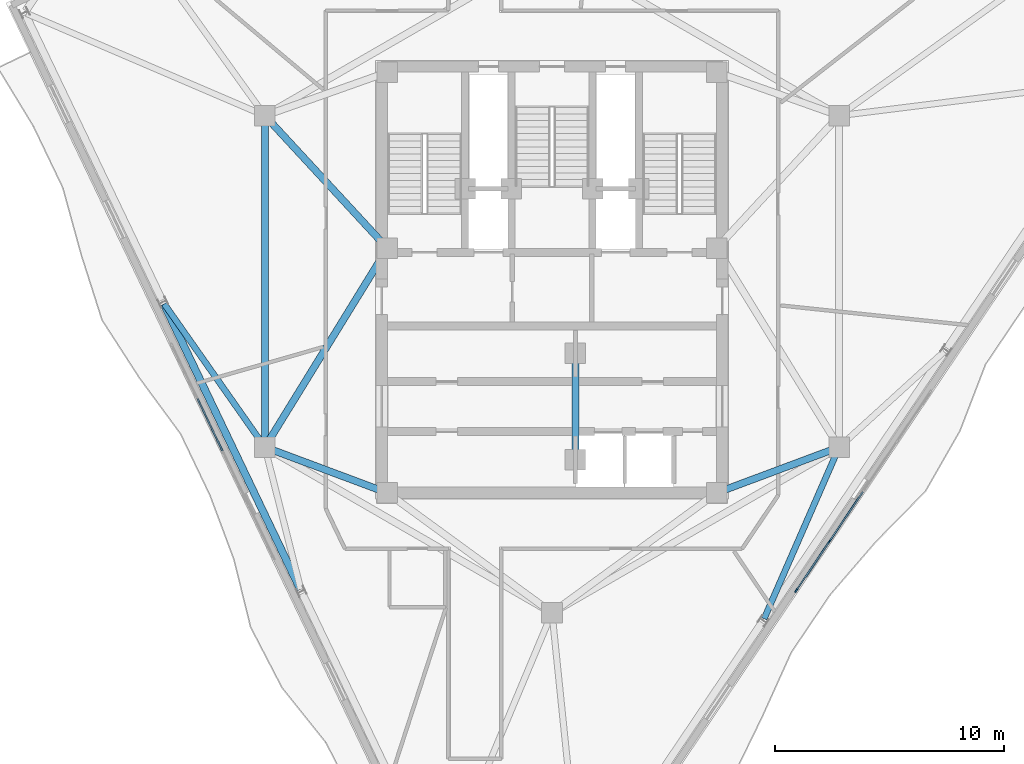
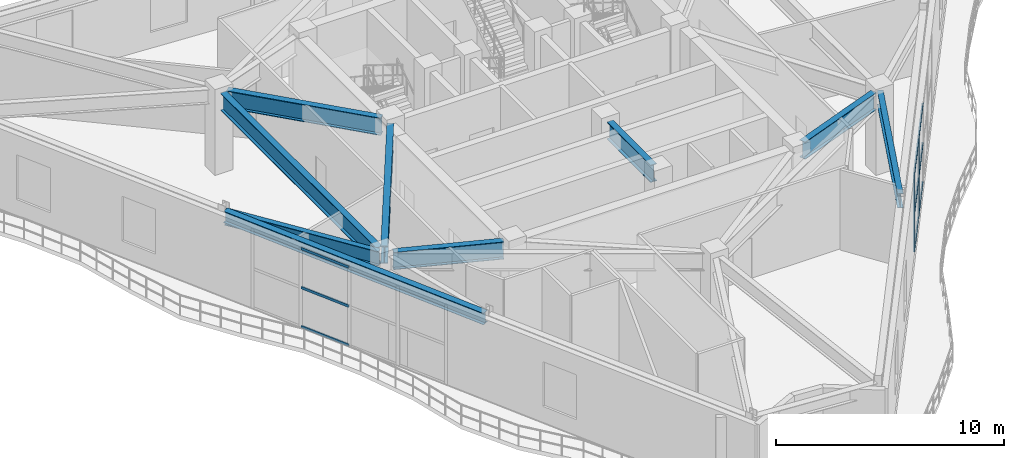
# One storey, part 5 of 15: 11 members, 9 beams, 2 elements without a shape of their own.
"""IFC4 building model written with IfcOpenShell, lengths in metres."""

from ifc_helpers import new_model, si_unit, direction, frame, origin, origin_2d, place, context, subcontext, project, spatial, rectangle, i_section, extrude, material, layer, layer_set, material_profile, profile_set, type_object, element, aggregate, save


model = new_model("IFC4")

# Units and contexts
model_context = context("Model", 3, precision=1e-05, world=origin(), true_north=direction((0.0, 1.0)))
body_context = subcontext(model_context, "Body", "Model", "MODEL_VIEW")
ifc_project = project(units=[si_unit("LENGTHUNIT", "METRE"), si_unit("AREAUNIT", "SQUARE_METRE"), si_unit("VOLUMEUNIT", "CUBIC_METRE"), si_unit("PLANEANGLEUNIT", "RADIAN"), si_unit("MASSUNIT", "GRAM", prefix="KILO")], contexts=[model_context])

# Site, building, storey
site_placement = place(None, origin())
site = spatial("IfcSite", under=ifc_project, at=site_placement, CompositionType="ELEMENT")
building_placement = place(site_placement, origin())
building = spatial("IfcBuilding", under=site, at=building_placement, Name="Apsidion Concourse Tower", CompositionType="ELEMENT")
storey_placement = place(building_placement, frame((0.0, 0.0, 323.39990234375)))
storey = spatial("IfcBuildingStorey", under=building, at=storey_placement, Name="L76", CompositionType="ELEMENT", Elevation=323.39990234375)

# Beams
ifc_material_1 = material(Name="Structural steel ASTM A992 Grade 50", Category="steel")
ifc_material_profile_1 = material_profile(ifc_material_1, i_section(OverallWidth=0.31005859375, OverallDepth=0.931884765625, WebThickness=0.02099609375, FlangeThickness=0.034423828125, at=origin_2d()), Name="W36X210")
ifc_profile_set_1 = profile_set([ifc_material_profile_1], Name="Structural steel ASTM A992 Grade 50")
beam_type_1 = type_object("IfcBeamType", Name="BM-G-W36", PredefinedType="USERDEFINED", material=ifc_profile_set_1)
beam_1_placement = place(storey_placement, frame((-12.185302734375, -7.389892578125, 3.833984375), z_axis=(0.936913021145, -0.349562570664, 0.0), x_axis=(0.349562570664, 0.936913021145, 0.0)))
element("IfcBeam", 1, at=beam_1_placement, inside=storey, type_object=beam_type_1, Name="L76 Core Coupling Girder IC1-SC1", ObjectType="GIRDER", PredefinedType="USERDEFINED", context=body_context, shape_type="SweptSolid", body=[
    extrude(i_section(OverallWidth=0.31005859375, OverallDepth=0.931884765625, WebThickness=0.02099609375, FlangeThickness=0.034423828125, at=origin_2d()), origin(), (0.0, 0.0, 1.0), 4.921142578125),
])
beam_2_placement = place(storey_placement, frame((-12.35009765625, -6.909423828125, 3.833984375), z_axis=(0.524524009763, 0.851395656074, 0.0), x_axis=(-0.851395656074, 0.524524009763, 0.0)))
element("IfcBeam", 2, at=beam_2_placement, inside=storey, type_object=beam_type_1, Name="L76 Core Coupling Girder IC1-SC6", ObjectType="GIRDER", PredefinedType="USERDEFINED", context=body_context, shape_type="SweptSolid", body=[
    extrude(i_section(OverallWidth=0.31005859375, OverallDepth=0.931884765625, WebThickness=0.02099609375, FlangeThickness=0.034423828125, at=origin_2d()), origin(), (0.0, 0.0, 1.0), 9.41845703125),
])
beam_3_placement = place(storey_placement, frame((12.185302734375, -7.389892578125, 3.833984375), z_axis=(-0.936913021145, -0.349562570664, 0.0), x_axis=(0.349562570664, -0.936913021145, 0.0)))
element("IfcBeam", 3, at=beam_3_placement, inside=storey, type_object=beam_type_1, Name="L76 Core Coupling Girder IC2-SC2", ObjectType="GIRDER", PredefinedType="USERDEFINED", context=body_context, shape_type="SweptSolid", body=[
    extrude(i_section(OverallWidth=0.31005859375, OverallDepth=0.931884765625, WebThickness=0.02099609375, FlangeThickness=0.034423828125, at=origin_2d()), origin(), (0.0, 0.0, 1.0), 4.921142578125),
])
beam_4_placement = place(storey_placement, frame((-12.28857421875, 6.956298828125, 3.833984375), z_axis=(0.678712876106, -0.73440372535, 0.0), x_axis=(0.73440372535, 0.678712876106, 0.0)))
element("IfcBeam", 4, at=beam_4_placement, inside=storey, type_object=beam_type_1, Name="L76 Core Coupling Girder IC5-SC6", ObjectType="GIRDER", PredefinedType="USERDEFINED", context=body_context, shape_type="SweptSolid", body=[
    extrude(i_section(OverallWidth=0.31005859375, OverallDepth=0.931884765625, WebThickness=0.02099609375, FlangeThickness=0.034423828125, at=origin_2d()), origin(), (0.0, 0.0, 1.0), 7.097412109375),
])
beam_5_placement = place(storey_placement, frame((-12.56005859375, -6.85009765625, 3.833984375), z_axis=(0.0, 1.0, 0.0), x_axis=(-1.0, 0.0, 0.0)))
element("IfcBeam", 5, at=beam_5_placement, inside=storey, type_object=beam_type_1, Name="L76 Core Coupling Girder IC1-IC5", ObjectType="GIRDER", PredefinedType="USERDEFINED", context=body_context, shape_type="SweptSolid", body=[
    extrude(i_section(OverallWidth=0.31005859375, OverallDepth=0.931884765625, WebThickness=0.02099609375, FlangeThickness=0.034423828125, at=origin_2d()), origin(), (0.0, 0.0, 1.0), 13.7001953125),
])
beam_6_placement = place(storey_placement, frame((1.02490234375, -3.550048828125, 3.833984375), z_axis=(0.0, -1.0, 0.0), x_axis=(1.0, 0.0, 0.0)))
element("IfcBeam", 6, at=beam_6_placement, inside=storey, type_object=beam_type_1, Name="L76 Core Coupling Girder CC5-CC6", ObjectType="GIRDER", PredefinedType="USERDEFINED", context=body_context, shape_type="SweptSolid", body=[
    extrude(i_section(OverallWidth=0.31005859375, OverallDepth=0.931884765625, WebThickness=0.02099609375, FlangeThickness=0.034423828125, at=origin_2d()), origin(), (0.0, 0.0, 1.0), 3.849853515625),
])
ifc_material_profile_2 = material_profile(ifc_material_1, i_section(OverallWidth=0.324951171875, OverallDepth=0.616943359375, WebThickness=0.013916015625, FlangeThickness=0.021484375, at=origin_2d()), Name="W24X117")
ifc_profile_set_2 = profile_set([ifc_material_profile_2], Name="Structural steel ASTM A992 Grade 50")
beam_type_2 = type_object("IfcBeamType", Name="BM-SP-W24", PredefinedType="SPANDREL", material=ifc_profile_set_2)
beam_7_placement = place(storey_placement, frame((-16.976318359375, -0.993408203125, 3.99169921875), z_axis=(0.43136744944, -0.902176326204, 0.0), x_axis=(0.902176326204, 0.43136744944, 0.0)))
element("IfcBeam", 7, at=beam_7_placement, inside=storey, type_object=beam_type_2, Name="L76 Perimeter Spandrel Girder SP-02", PredefinedType="SPANDREL", context=body_context, shape_type="SweptSolid", body=[
    extrude(i_section(OverallWidth=0.324951171875, OverallDepth=0.616943359375, WebThickness=0.013916015625, FlangeThickness=0.021484375, at=origin_2d()), origin(), (0.0, 0.0, 1.0), 13.83447265625),
])
ifc_material_profile_3 = material_profile(ifc_material_1, i_section(OverallWidth=0.26806640625, OverallDepth=0.77001953125, WebThickness=0.015625, FlangeThickness=0.025390625, at=origin_2d()), Name="W30X132")
ifc_profile_set_3 = profile_set([ifc_material_profile_3], Name="Structural steel ASTM A992 Grade 50")
beam_type_3 = type_object("IfcBeamType", Name="BM-SP-W30", PredefinedType="SPANDREL", material=ifc_profile_set_3)
beam_8_placement = place(storey_placement, frame((-12.6865234375, -7.070068359375, 3.9150390625), z_axis=(-0.574897998258, 0.818225086146, 0.0), x_axis=(-0.818225086146, -0.574897998258, 0.0)))
element("IfcBeam", 8, at=beam_8_placement, inside=storey, type_object=beam_type_3, Name="L76 Radial Floor Girder RAD-02", PredefinedType="SPANDREL", context=body_context, shape_type="SweptSolid", body=[
    extrude(i_section(OverallWidth=0.26806640625, OverallDepth=0.77001953125, WebThickness=0.015625, FlangeThickness=0.025390625, at=origin_2d()), origin(), (0.0, 0.0, 1.0), 7.436767578125),
])
beam_9_placement = place(storey_placement, frame((12.4716796875, -7.45166015625, 3.9150390625), z_axis=(-0.400675776745, -0.916219909154, 0.0), x_axis=(0.916219909154, -0.400675776745, 0.0)))
element("IfcBeam", 9, at=beam_9_placement, inside=storey, type_object=beam_type_3, Name="L76 Radial Floor Girder RAD-06", PredefinedType="SPANDREL", context=body_context, shape_type="SweptSolid", body=[
    extrude(i_section(OverallWidth=0.26806640625, OverallDepth=0.77001953125, WebThickness=0.015625, FlangeThickness=0.025390625, at=origin_2d()), origin(), (0.0, 0.0, 1.0), 7.968017578125),
])

# Curtain wall, members
ifc_material_2 = material(Name="Insulated laminated low-E glass", Category="glass")
ifc_layer = layer(ifc_material_2, 0.22998046875)
ifc_layer_set = layer_set([ifc_layer], Name="Insulated laminated low-E glass")
curtain_wall_type = type_object("IfcCurtainWallType", Name="CW-SYS-05", PredefinedType="NOTDEFINED", material=ifc_layer_set)
curtain_wall_1_placement = place(storey_placement, origin())
curtain_wall_1 = element("IfcCurtainWall", 10, at=curtain_wall_1_placement, inside=storey, type_object=curtain_wall_type, Name="L76 Sky Observatory Curtain Wall 5", PredefinedType="NOTDEFINED")
ifc_material_3 = material(Name="Anodised aluminium EN AW-6063 T6", Category="aluminium")
ifc_material_profile_4 = material_profile(ifc_material_3, rectangle(XDim=0.06494140625, YDim=0.179931640625, at=origin_2d()), Name="ALU MULLION 65x180")
ifc_profile_set_4 = profile_set([ifc_material_profile_4], Name="Anodised aluminium EN AW-6063 T6")
member_type_1 = type_object("IfcMemberType", Name="CWM-65X180", PredefinedType="MULLION", material=ifc_profile_set_4)
member_1_placement = place(storey_placement, frame((12.139404296875, -11.366455078125, 0.0), z_axis=(0.0, 0.0, 1.0), x_axis=(0.829036939888, -0.559193841437, 0.0)))
member_1 = element("IfcMember", 11, at=member_1_placement, type_object=member_type_1, Name="CW-05 mullion 4", PredefinedType="MULLION", context=body_context, shape_type="SweptSolid", body=[
    extrude(rectangle(XDim=0.06494140625, YDim=0.179931640625, at=origin_2d()), origin(), (0.0, 0.0, 1.0), 4.25),
])
member_2_placement = place(storey_placement, frame((10.68408203125, -13.52392578125, 0.0), z_axis=(0.0, 0.0, 1.0), x_axis=(0.829036939888, -0.559193841437, 0.0)))
member_2 = element("IfcMember", 12, at=member_2_placement, type_object=member_type_1, Name="CW-05 mullion 5", PredefinedType="MULLION", context=body_context, shape_type="SweptSolid", body=[
    extrude(rectangle(XDim=0.06494140625, YDim=0.179931640625, at=origin_2d()), origin(), (0.0, 0.0, 1.0), 4.25),
])
ifc_material_profile_5 = material_profile(ifc_material_3, rectangle(XDim=0.06494140625, YDim=0.139892578125, at=origin_2d()), Name="ALU TRANSOM 65x140")
ifc_profile_set_5 = profile_set([ifc_material_profile_5], Name="Anodised aluminium EN AW-6063 T6")
member_type_2 = type_object("IfcMemberType", Name="CWT-65X140", PredefinedType="USERDEFINED", material=ifc_profile_set_5)
member_3_placement = place(storey_placement, frame((13.5947265625, -9.208984375, 0.03271484375), z_axis=(-0.559273780353, -0.828983014669, 0.0), x_axis=(0.828983014669, -0.559273780353, 0.0)))
member_3 = element("IfcMember", 13, at=member_3_placement, type_object=member_type_2, Name="CW-05 transom 3.1", ObjectType="TRANSOM", PredefinedType="USERDEFINED", context=body_context, shape_type="SweptSolid", body=[
    extrude(rectangle(XDim=0.06494140625, YDim=0.139892578125, at=origin_2d()), origin(), (0.0, 0.0, 1.0), 2.56982421875),
])
member_4_placement = place(storey_placement, frame((13.5947265625, -9.208984375, 2.125), z_axis=(-0.559273780353, -0.828983014669, 0.0), x_axis=(0.828983014669, -0.559273780353, 0.0)))
member_4 = element("IfcMember", 14, at=member_4_placement, type_object=member_type_2, Name="CW-05 transom 3.2", ObjectType="TRANSOM", PredefinedType="USERDEFINED", context=body_context, shape_type="SweptSolid", body=[
    extrude(rectangle(XDim=0.06494140625, YDim=0.139892578125, at=origin_2d()), origin(), (0.0, 0.0, 1.0), 2.56982421875),
])
member_5_placement = place(storey_placement, frame((13.5947265625, -9.208984375, 4.217529296875), z_axis=(-0.559273780353, -0.828983014669, 0.0), x_axis=(0.828983014669, -0.559273780353, 0.0)))
member_5 = element("IfcMember", 15, at=member_5_placement, type_object=member_type_2, Name="CW-05 transom 3.3", ObjectType="TRANSOM", PredefinedType="USERDEFINED", context=body_context, shape_type="SweptSolid", body=[
    extrude(rectangle(XDim=0.06494140625, YDim=0.139892578125, at=origin_2d()), origin(), (0.0, 0.0, 1.0), 2.56982421875),
])
member_6_placement = place(storey_placement, frame((12.121337890625, -11.393310546875, 0.03271484375), z_axis=(-0.559221645029, -0.829018185404, 0.0), x_axis=(0.829018185404, -0.559221645029, 0.0)))
member_6 = element("IfcMember", 16, at=member_6_placement, type_object=member_type_2, Name="CW-05 transom 4.1", ObjectType="TRANSOM", PredefinedType="USERDEFINED", context=body_context, shape_type="SweptSolid", body=[
    extrude(rectangle(XDim=0.06494140625, YDim=0.139892578125, at=origin_2d()), origin(), (0.0, 0.0, 1.0), 2.537353515625),
])
member_7_placement = place(storey_placement, frame((12.121337890625, -11.393310546875, 2.125), z_axis=(-0.559221645029, -0.829018185404, 0.0), x_axis=(0.829018185404, -0.559221645029, 0.0)))
member_7 = element("IfcMember", 17, at=member_7_placement, type_object=member_type_2, Name="CW-05 transom 4.2", ObjectType="TRANSOM", PredefinedType="USERDEFINED", context=body_context, shape_type="SweptSolid", body=[
    extrude(rectangle(XDim=0.06494140625, YDim=0.139892578125, at=origin_2d()), origin(), (0.0, 0.0, 1.0), 2.537353515625),
])
member_8_placement = place(storey_placement, frame((12.121337890625, -11.393310546875, 4.217529296875), z_axis=(-0.559221645029, -0.829018185404, 0.0), x_axis=(0.829018185404, -0.559221645029, 0.0)))
member_8 = element("IfcMember", 18, at=member_8_placement, type_object=member_type_2, Name="CW-05 transom 4.3", ObjectType="TRANSOM", PredefinedType="USERDEFINED", context=body_context, shape_type="SweptSolid", body=[
    extrude(rectangle(XDim=0.06494140625, YDim=0.139892578125, at=origin_2d()), origin(), (0.0, 0.0, 1.0), 2.537353515625),
])
aggregate(curtain_wall_1, [member_1, member_2, member_3, member_4, member_5, member_6, member_7, member_8])

curtain_wall_2_placement = place(storey_placement, origin())
curtain_wall_2 = element("IfcCurtainWall", 19, at=curtain_wall_2_placement, inside=storey, type_object=curtain_wall_type, Name="L76 Sky Observatory Curtain Wall 9", PredefinedType="NOTDEFINED")
member_9_placement = place(storey_placement, frame((-14.419677734375, -7.406982421875, 0.03271484375), z_axis=(-0.431602568817, 0.902063868354, 0.0), x_axis=(-0.902063868354, -0.431602568817, 0.0)))
member_9 = element("IfcMember", 20, at=member_9_placement, type_object=member_type_2, Name="CW-05 transom 3.1", ObjectType="TRANSOM", PredefinedType="USERDEFINED", context=body_context, shape_type="SweptSolid", body=[
    extrude(rectangle(XDim=0.06494140625, YDim=0.139892578125, at=origin_2d()), origin(), (0.0, 0.0, 1.0), 2.525634765625),
])
member_10_placement = place(storey_placement, frame((-14.419677734375, -7.406982421875, 2.125), z_axis=(-0.431602568817, 0.902063868354, 0.0), x_axis=(-0.902063868354, -0.431602568817, 0.0)))
member_10 = element("IfcMember", 21, at=member_10_placement, type_object=member_type_2, Name="CW-05 transom 3.2", ObjectType="TRANSOM", PredefinedType="USERDEFINED", context=body_context, shape_type="SweptSolid", body=[
    extrude(rectangle(XDim=0.06494140625, YDim=0.139892578125, at=origin_2d()), origin(), (0.0, 0.0, 1.0), 2.525634765625),
])
member_11_placement = place(storey_placement, frame((-14.419677734375, -7.406982421875, 4.217529296875), z_axis=(-0.431602568817, 0.902063868354, 0.0), x_axis=(-0.902063868354, -0.431602568817, 0.0)))
member_11 = element("IfcMember", 22, at=member_11_placement, type_object=member_type_2, Name="CW-05 transom 3.3", ObjectType="TRANSOM", PredefinedType="USERDEFINED", context=body_context, shape_type="SweptSolid", body=[
    extrude(rectangle(XDim=0.06494140625, YDim=0.139892578125, at=origin_2d()), origin(), (0.0, 0.0, 1.0), 2.525634765625),
])
aggregate(curtain_wall_2, [member_9, member_10, member_11])

save(model, "model.ifc")
